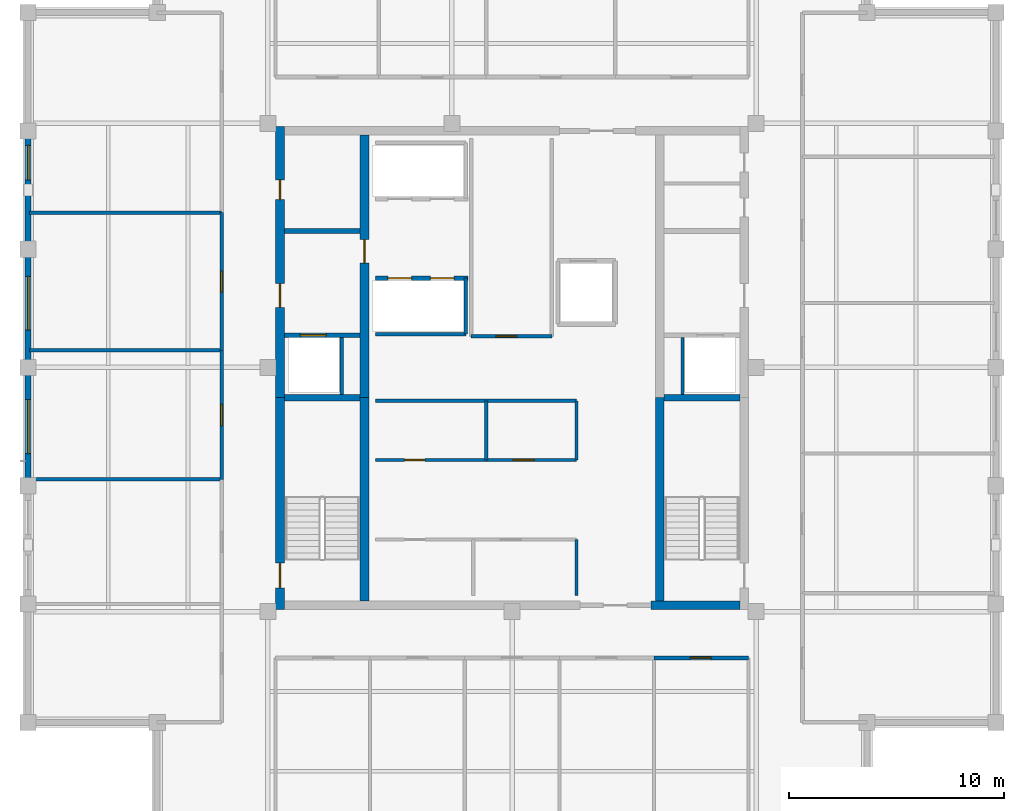
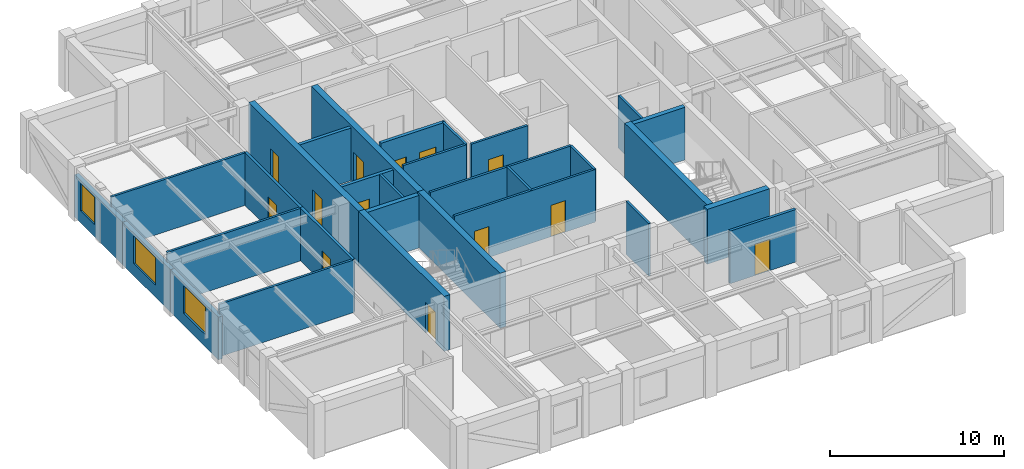
# One storey, part 4 of 7: 30 walls, 13 doors, 3 windows, 16 openings.
"""IFC4 building model written with IfcOpenShell, lengths in metres."""

from ifc_helpers import new_model, si_unit, direction, frame, frame_2d, origin, place, context, subcontext, project, spatial, rectangle, extrude, material, layer, layer_set, type_object, element, fill, save


model = new_model("IFC4")

# Units and contexts
model_context = context("Model", 3, precision=1e-05, world=origin(), true_north=direction((0.0, 1.0)))
body_context = subcontext(model_context, "Body", "Model", "MODEL_VIEW")
ifc_project = project(units=[si_unit("LENGTHUNIT", "METRE"), si_unit("AREAUNIT", "SQUARE_METRE"), si_unit("VOLUMEUNIT", "CUBIC_METRE"), si_unit("PLANEANGLEUNIT", "RADIAN"), si_unit("MASSUNIT", "GRAM", prefix="KILO")], contexts=[model_context])

# Site, building, storey
site_placement = place(None, origin())
site = spatial("IfcSite", under=ifc_project, at=site_placement, CompositionType="ELEMENT")
building_placement = place(site_placement, origin())
building = spatial("IfcBuilding", under=site, at=building_placement, Name="Nhamokura Convention Tower", CompositionType="ELEMENT")
storey_placement = place(building_placement, frame((0.0, 0.0, 285.25)))
storey = spatial("IfcBuildingStorey", under=building, at=storey_placement, Name="L70", CompositionType="ELEMENT", Elevation=285.25)

# Wall, opening, window
ifc_material_1 = material(Name="Bronze-pigmented precast concrete C45/55", Category="concrete")
ifc_layer_1 = layer(ifc_material_1, 0.280029296875)
ifc_layer_set_1 = layer_set([ifc_layer_1], Name="BronzePrecastSpandrel_280")
wall_type_1 = type_object("IfcWallType", Name="BronzePrecastSpandrel_280", PredefinedType="USERDEFINED", material=ifc_layer_set_1)
wall_1_placement = place(storey_placement, frame((9.5, 26.5, 0.0), z_axis=(0.0, 0.0, 1.0), x_axis=(0.0, 1.0, 0.0)))
wall_1 = element("IfcWall", 1, at=wall_1_placement, inside=storey, type_object=wall_type_1, Name="L70 Masonry-Frame Wall WEST 2", ObjectType="SPANDREL_WALL", PredefinedType="USERDEFINED", context=body_context, shape_type="SweptSolid", body=[
    extrude(rectangle(XDim=5.5, YDim=0.280029296875, at=frame_2d((2.75, 0.0))), origin(), (0.0, 0.0, 1.0), 2.985107421875),
])
opening_1_placement = place(wall_1_placement, frame((1.5, 0.0, 0.85009765625)))
opening_1 = element("IfcOpeningElement", 2, at=opening_1_placement, cuts=wall_1, Name="Opening W-09", PredefinedType="OPENING", context=body_context, shape_type="SweptSolid", body=[
    extrude(rectangle(XDim=2.5, YDim=1.93505859375, at=frame_2d((1.25, 0.967529296875))), frame((0.0, 0.14990234375, 0.0), z_axis=(0.0, -1.0, 0.0), x_axis=(1.0, 0.0, 0.0)), (0.0, 0.0, 1.0), 0.300048828125),
])
ifc_material_2 = material(Name="Solar-control bronze low-E double glass", Category="glass")
window_type_1 = type_object("IfcWindowType", Name="SummitWindow_Z4_2500", PartitioningType="DOUBLE_PANEL_VERTICAL", PredefinedType="WINDOW", material=ifc_material_2)
window_1_placement = place(opening_1_placement, origin())
window_1 = element("IfcWindow", 3, at=window_1_placement, inside=storey, type_object=window_type_1, Name="L70 Facade Window WEST 2", OverallHeight=1.93505859375, OverallWidth=2.5, PartitioningType="SINGLE_PANEL", PredefinedType="WINDOW", context=body_context, shape_type="SweptSolid", body=[
    extrude(rectangle(XDim=2.5, YDim=1.93505859375, at=frame_2d((1.25, 0.967529296875))), frame((0.0, 0.030029296875, 0.0), z_axis=(0.0, -1.0, 0.0), x_axis=(1.0, 0.0, 0.0)), (0.0, 0.0, 1.0), 0.06005859375),
])
fill(opening_1, window_1)

wall_2_placement = place(storey_placement, frame((9.5, 32.0, 0.0), z_axis=(0.0, 0.0, 1.0), x_axis=(0.0, 1.0, 0.0)))
wall_2 = element("IfcWall", 4, at=wall_2_placement, inside=storey, type_object=wall_type_1, Name="L70 Masonry-Frame Wall WEST 3", ObjectType="SPANDREL_WALL", PredefinedType="USERDEFINED", context=body_context, shape_type="SweptSolid", body=[
    extrude(rectangle(XDim=5.5, YDim=0.280029296875, at=frame_2d((2.75, 0.0))), origin(), (0.0, 0.0, 1.0), 2.985107421875),
])
opening_2_placement = place(wall_2_placement, frame((1.737548828125, 0.0, 0.85009765625)))
opening_2 = element("IfcOpeningElement", 5, at=opening_2_placement, cuts=wall_2, Name="Opening W-09", PredefinedType="OPENING", context=body_context, shape_type="SweptSolid", body=[
    extrude(rectangle(XDim=2.5, YDim=1.93505859375, at=frame_2d((1.25, 0.967529296875))), frame((0.0, 0.14990234375, 0.0), z_axis=(0.0, -1.0, 0.0), x_axis=(1.0, 0.0, 0.0)), (0.0, 0.0, 1.0), 0.300048828125),
])
window_2_placement = place(opening_2_placement, origin())
window_2 = element("IfcWindow", 6, at=window_2_placement, inside=storey, type_object=window_type_1, Name="L70 Facade Window WEST 3", OverallHeight=1.93505859375, OverallWidth=2.5, PartitioningType="SINGLE_PANEL", PredefinedType="WINDOW", context=body_context, shape_type="SweptSolid", body=[
    extrude(rectangle(XDim=2.5, YDim=1.93505859375, at=frame_2d((1.25, 0.967529296875))), frame((0.0, 0.030029296875, 0.0), z_axis=(0.0, -1.0, 0.0), x_axis=(1.0, 0.0, 0.0)), (0.0, 0.0, 1.0), 0.06005859375),
])
fill(opening_2, window_2)

wall_3_placement = place(storey_placement, frame((9.5, 37.5, 0.0), z_axis=(0.0, 0.0, 1.0), x_axis=(0.0, 1.0, 0.0)))
wall_3 = element("IfcWall", 7, at=wall_3_placement, inside=storey, type_object=wall_type_1, Name="L70 Masonry-Frame Wall WEST 4", ObjectType="SPANDREL_WALL", PredefinedType="USERDEFINED", context=body_context, shape_type="SweptSolid", body=[
    extrude(rectangle(XDim=5.5, YDim=0.280029296875, at=frame_2d((2.75, 0.0))), origin(), (0.0, 0.0, 1.0), 2.985107421875),
])
opening_3_placement = place(wall_3_placement, frame((3.22509765625, 0.0, 0.85009765625)))
opening_3 = element("IfcOpeningElement", 8, at=opening_3_placement, cuts=wall_3, Name="Opening W-11", PredefinedType="OPENING", context=body_context, shape_type="SweptSolid", body=[
    extrude(rectangle(XDim=1.60009765625, YDim=1.93505859375, at=frame_2d((0.800048828125, 0.967529296875))), frame((0.0, 0.14990234375, 0.0), z_axis=(0.0, -1.0, 0.0), x_axis=(1.0, 0.0, 0.0)), (0.0, 0.0, 1.0), 0.300048828125),
])
ifc_material_3 = material(Name="Solar-control bronze low-E double glass", Category="glass")
window_type_2 = type_object("IfcWindowType", Name="NotchCornerWindow_1600", PartitioningType="SINGLE_PANEL", PredefinedType="WINDOW", material=ifc_material_3)
window_3_placement = place(opening_3_placement, origin())
window_3 = element("IfcWindow", 9, at=window_3_placement, inside=storey, type_object=window_type_2, Name="L70 Facade Window WEST 4-3", OverallHeight=1.93505859375, OverallWidth=1.60009765625, PartitioningType="SINGLE_PANEL", PredefinedType="WINDOW", context=body_context, shape_type="SweptSolid", body=[
    extrude(rectangle(XDim=1.60009765625, YDim=1.93505859375, at=frame_2d((0.800048828125, 0.967529296875))), frame((0.0, 0.030029296875, 0.0), z_axis=(0.0, -1.0, 0.0), x_axis=(1.0, 0.0, 0.0)), (0.0, 0.0, 1.0), 0.06005859375),
])
fill(opening_3, window_3)

# Wall, opening, door
ifc_material_4 = material(Name="Concrete C50/60", Category="concrete")
ifc_layer_2 = layer(ifc_material_4, 0.39990234375)
ifc_layer_set_2 = layer_set([ifc_layer_2], Name="CoreShearWall_400")
wall_type_2 = type_object("IfcWallType", Name="CoreShearWall_400", PredefinedType="SHEAR", material=ifc_layer_set_2)
wall_4_placement = place(storey_placement, frame((21.2099609375, 20.75, 0.0), z_axis=(0.0, 0.0, 1.0), x_axis=(0.0, 1.0, 0.0)))
wall_4 = element("IfcWall", 10, at=wall_4_placement, inside=storey, type_object=wall_type_2, Name="L70 Core Shear Wall CW-WS", PredefinedType="SHEAR", context=body_context, shape_type="SweptSolid", body=[
    extrude(rectangle(XDim=9.85009765625, YDim=0.39990234375, at=frame_2d((4.925048828125, 0.0))), origin(), (0.0, 0.0, 1.0), 3.85009765625),
])
opening_4_placement = place(wall_4_placement, frame((1.0, 0.0, 0.0)))
opening_4 = element("IfcOpeningElement", 11, at=opening_4_placement, cuts=wall_4, Name="Opening D-04", PredefinedType="OPENING", context=body_context, shape_type="SweptSolid", body=[
    extrude(rectangle(XDim=1.14990234375, YDim=2.14990234375, at=frame_2d((0.574951171875, 1.074951171875))), frame((0.0, 0.2099609375, 0.0), z_axis=(0.0, -1.0, 0.0), x_axis=(1.0, 0.0, 0.0)), (0.0, 0.0, 1.0), 0.419921875),
])
ifc_material_5 = material(Name="Fire-rated steel door", Category="steel")
door_type_1 = type_object("IfcDoorType", Name="StairSmokeDoor_1150", OperationType="NOTDEFINED", PredefinedType="DOOR", material=ifc_material_5)
door_1_placement = place(opening_4_placement, origin())
door_1 = element("IfcDoor", 12, at=door_1_placement, inside=storey, type_object=door_type_1, Name="L70 Core Door INT-L70-D-ST01", OperationType="SINGLE_SWING_LEFT", OverallHeight=2.14990234375, OverallWidth=1.14990234375, PredefinedType="DOOR", context=body_context, shape_type="SweptSolid", body=[
    extrude(rectangle(XDim=1.14990234375, YDim=2.14990234375, at=frame_2d((0.574951171875, 1.074951171875))), frame((0.0, 0.02490234375, 0.0), z_axis=(0.0, -1.0, 0.0), x_axis=(1.0, 0.0, 0.0)), (0.0, 0.0, 1.0), 0.050048828125),
])
fill(opening_4, door_1)

# Wall, openings, doors
wall_5_placement = place(storey_placement, frame((21.2099609375, 30.60009765625, 0.0), z_axis=(0.0, 0.0, 1.0), x_axis=(0.0, 1.0, 0.0)))
wall_5 = element("IfcWall", 13, at=wall_5_placement, inside=storey, type_object=wall_type_2, Name="L70 Core Shear Wall CW-WN", PredefinedType="SHEAR", context=body_context, shape_type="SweptSolid", body=[
    extrude(rectangle(XDim=12.599853515625, YDim=0.39990234375, at=frame_2d((6.2998046875, 0.0))), origin(), (0.0, 0.0, 1.0), 3.85009765625),
])
opening_5_placement = place(wall_5_placement, frame((4.199951171875, 0.0, 0.0)))
opening_5 = element("IfcOpeningElement", 14, at=opening_5_placement, cuts=wall_5, Name="Opening D-05", PredefinedType="OPENING", context=body_context, shape_type="SweptSolid", body=[
    extrude(rectangle(XDim=1.10009765625, YDim=2.14990234375, at=frame_2d((0.550048828125, 1.074951171875))), frame((0.0, 0.2099609375, 0.0), z_axis=(0.0, -1.0, 0.0), x_axis=(1.0, 0.0, 0.0)), (0.0, 0.0, 1.0), 0.419921875),
])
opening_6_placement = place(wall_5_placement, frame((9.199951171875, 0.0, 0.0)))
opening_6 = element("IfcOpeningElement", 15, at=opening_6_placement, cuts=wall_5, Name="Opening D-10", PredefinedType="OPENING", context=body_context, shape_type="SweptSolid", body=[
    extrude(rectangle(XDim=0.919921875, YDim=2.10009765625, at=frame_2d((0.4599609375, 1.050048828125))), frame((0.0, 0.2099609375, 0.0), z_axis=(0.0, -1.0, 0.0), x_axis=(1.0, 0.0, 0.0)), (0.0, 0.0, 1.0), 0.419921875),
])
ifc_material_6 = material(Name="Solid oak hardwood", Category="wood")
door_type_2 = type_object("IfcDoorType", Name="AccessibleWCDoor_920", OperationType="NOTDEFINED", PredefinedType="DOOR", material=ifc_material_6)
door_2_placement = place(opening_6_placement, origin())
door_2 = element("IfcDoor", 16, at=door_2_placement, inside=storey, type_object=door_type_2, Name="L70 Core Door INT-L70-D-AWC", OperationType="SINGLE_SWING_LEFT", OverallHeight=2.10009765625, OverallWidth=0.919921875, PredefinedType="DOOR", context=body_context, shape_type="SweptSolid", body=[
    extrude(rectangle(XDim=0.919921875, YDim=2.10009765625, at=frame_2d((0.4599609375, 1.050048828125))), frame((0.0, 0.02490234375, 0.0), z_axis=(0.0, -1.0, 0.0), x_axis=(1.0, 0.0, 0.0)), (0.0, 0.0, 1.0), 0.050048828125),
])
fill(opening_6, door_2)
ifc_material_7 = material(Name="Fire-rated steel door", Category="steel")
door_type_3 = type_object("IfcDoorType", Name="FireLobbyDoor_1100", OperationType="NOTDEFINED", PredefinedType="DOOR", material=ifc_material_7)
door_3_placement = place(opening_5_placement, origin())
door_3 = element("IfcDoor", 17, at=door_3_placement, inside=storey, type_object=door_type_3, Name="L70 Core Door INT-L70-D-FFLW", OperationType="SINGLE_SWING_RIGHT", OverallHeight=2.14990234375, OverallWidth=1.10009765625, PredefinedType="DOOR", context=body_context, shape_type="SweptSolid", body=[
    extrude(rectangle(XDim=1.10009765625, YDim=2.14990234375, at=frame_2d((0.550048828125, 1.074951171875))), frame((0.0, 0.02490234375, 0.0), z_axis=(0.0, -1.0, 0.0), x_axis=(1.0, 0.0, 0.0)), (0.0, 0.0, 1.0), 0.050048828125),
])
fill(opening_5, door_3)

# Walls
wall_6_placement = place(storey_placement, frame((38.449951171875, 20.949951171875, 0.0), z_axis=(0.0, 0.0, 1.0), x_axis=(1.0, 0.0, 0.0)))
element("IfcWall", 18, at=wall_6_placement, inside=storey, type_object=wall_type_2, Name="L70 Core Shear Wall CW-S2", PredefinedType="SHEAR", context=body_context, shape_type="SweptSolid", body=[
    extrude(rectangle(XDim=4.14013671875, YDim=0.39990234375, at=frame_2d((2.070068359375, 0.0))), origin(), (0.0, 0.0, 1.0), 3.85009765625),
])
wall_7_placement = place(storey_placement, frame((25.139892578125, 21.14990234375, 0.0), z_axis=(0.0, 0.0, 1.0), x_axis=(0.0, 1.0, 0.0)))
element("IfcWall", 19, at=wall_7_placement, inside=storey, type_object=wall_type_2, Name="L70 Core Shear Wall CW-IWS", PredefinedType="SHEAR", context=body_context, shape_type="SweptSolid", body=[
    extrude(rectangle(XDim=9.4501953125, YDim=0.39990234375, at=frame_2d((4.72509765625, 0.0))), origin(), (0.0, 0.0, 1.0), 3.85009765625),
])

# Wall, opening, door
wall_8_placement = place(storey_placement, frame((25.139892578125, 30.60009765625, 0.0), z_axis=(0.0, 0.0, 1.0), x_axis=(0.0, 1.0, 0.0)))
wall_8 = element("IfcWall", 20, at=wall_8_placement, inside=storey, type_object=wall_type_2, Name="L70 Core Shear Wall CW-IWN", PredefinedType="SHEAR", context=body_context, shape_type="SweptSolid", body=[
    extrude(rectangle(XDim=12.199951171875, YDim=0.39990234375, at=frame_2d((6.10009765625, 0.0))), origin(), (0.0, 0.0, 1.0), 3.85009765625),
])
opening_7_placement = place(wall_8_placement, frame((6.25, 0.0, 0.0)))
opening_7 = element("IfcOpeningElement", 21, at=opening_7_placement, cuts=wall_8, Name="Opening D-05", PredefinedType="OPENING", context=body_context, shape_type="SweptSolid", body=[
    extrude(rectangle(XDim=1.10009765625, YDim=2.14990234375, at=frame_2d((0.550048828125, 1.074951171875))), frame((0.0, 0.2099609375, 0.0), z_axis=(0.0, -1.0, 0.0), x_axis=(1.0, 0.0, 0.0)), (0.0, 0.0, 1.0), 0.419921875),
])
door_4_placement = place(opening_7_placement, origin())
door_4 = element("IfcDoor", 22, at=door_4_placement, inside=storey, type_object=door_type_3, Name="L70 Core Door INT-L70-D-B3LOB", OperationType="SINGLE_SWING_LEFT", OverallHeight=2.14990234375, OverallWidth=1.10009765625, PredefinedType="DOOR", context=body_context, shape_type="SweptSolid", body=[
    extrude(rectangle(XDim=1.10009765625, YDim=2.14990234375, at=frame_2d((0.550048828125, 1.074951171875))), frame((0.0, 0.02490234375, 0.0), z_axis=(0.0, -1.0, 0.0), x_axis=(1.0, 0.0, 0.0)), (0.0, 0.0, 1.0), 0.050048828125),
])
fill(opening_7, door_4)

# Wall
wall_9_placement = place(storey_placement, frame((38.860107421875, 21.14990234375, 0.0), z_axis=(0.0, 0.0, 1.0), x_axis=(0.0, 1.0, 0.0)))
element("IfcWall", 23, at=wall_9_placement, inside=storey, type_object=wall_type_2, Name="L70 Core Shear Wall CW-IES", PredefinedType="SHEAR", context=body_context, shape_type="SweptSolid", body=[
    extrude(rectangle(XDim=9.4501953125, YDim=0.39990234375, at=frame_2d((4.72509765625, 0.0))), origin(), (0.0, 0.0, 1.0), 3.85009765625),
])

# Wall, opening, door
ifc_material_8 = material(Name="Fire-rated gypsum and masonry partition", Category="masonry")
ifc_layer_3 = layer(ifc_material_8, 0.179931640625)
ifc_layer_set_3 = layer_set([ifc_layer_3], Name="CorridorRatedWall_180")
wall_type_3 = type_object("IfcWallType", Name="CorridorRatedWall_180", PredefinedType="STANDARD", material=ifc_layer_set_3)
wall_10_placement = place(storey_placement, frame((38.60009765625, 18.5, 0.0), z_axis=(0.0, 0.0, 1.0), x_axis=(1.0, 0.0, 0.0)))
wall_10 = element("IfcWall", 24, at=wall_10_placement, inside=storey, type_object=wall_type_3, Name="L70 Wall INT-L70-CW-S04", PredefinedType="STANDARD", context=body_context, shape_type="SweptSolid", body=[
    extrude(rectangle(XDim=4.39990234375, YDim=0.179931640625, at=frame_2d((2.199951171875, 0.0))), origin(), (0.0, 0.0, 1.0), 3.68505859375),
])
opening_8_placement = place(wall_10_placement, frame((1.675048828125, 0.0, 0.0)))
opening_8 = element("IfcOpeningElement", 25, at=opening_8_placement, cuts=wall_10, Name="Opening D-08", PredefinedType="OPENING", context=body_context, shape_type="SweptSolid", body=[
    extrude(rectangle(XDim=0.97998046875, YDim=2.199951171875, at=frame_2d((0.489990234375, 1.10009765625))), frame((0.0, 0.099853515625, 0.0), z_axis=(0.0, -1.0, 0.0), x_axis=(1.0, 0.0, 0.0)), (0.0, 0.0, 1.0), 0.199951171875),
])
ifc_material_9 = material(Name="Solid oak hardwood", Category="wood")
door_type_4 = type_object("IfcDoorType", Name="OfficeEntryDoor_980", OperationType="NOTDEFINED", PredefinedType="DOOR", material=ifc_material_9)
door_5_placement = place(opening_8_placement, origin())
door_5 = element("IfcDoor", 26, at=door_5_placement, inside=storey, type_object=door_type_4, Name="L70 Private Office S05 Door", OperationType="SINGLE_SWING_LEFT", OverallHeight=2.199951171875, OverallWidth=0.97998046875, PredefinedType="DOOR", context=body_context, shape_type="SweptSolid", body=[
    extrude(rectangle(XDim=0.97998046875, YDim=2.199951171875, at=frame_2d((0.489990234375, 1.10009765625))), frame((0.0, 0.02490234375, 0.0), z_axis=(0.0, -1.0, 0.0), x_axis=(1.0, 0.0, 0.0)), (0.0, 0.0, 1.0), 0.050048828125),
])
fill(opening_8, door_5)

wall_11_placement = place(storey_placement, frame((18.5, 26.800048828125, 0.0), z_axis=(0.0, 0.0, 1.0), x_axis=(0.0, 1.0, 0.0)))
wall_11 = element("IfcWall", 27, at=wall_11_placement, inside=storey, type_object=wall_type_3, Name="L70 Wall INT-L70-CW-W02", PredefinedType="STANDARD", context=body_context, shape_type="SweptSolid", body=[
    extrude(rectangle(XDim=6.0, YDim=0.179931640625, at=frame_2d((3.0, 0.0))), origin(), (0.0, 0.0, 1.0), 3.68505859375),
])
opening_9_placement = place(wall_11_placement, frame((2.5, 0.0, 0.0)))
opening_9 = element("IfcOpeningElement", 28, at=opening_9_placement, cuts=wall_11, Name="Opening D-08", PredefinedType="OPENING", context=body_context, shape_type="SweptSolid", body=[
    extrude(rectangle(XDim=0.97998046875, YDim=2.199951171875, at=frame_2d((0.489990234375, 1.10009765625))), frame((0.0, 0.099853515625, 0.0), z_axis=(0.0, -1.0, 0.0), x_axis=(1.0, 0.0, 0.0)), (0.0, 0.0, 1.0), 0.199951171875),
])
door_6_placement = place(opening_9_placement, origin())
door_6 = element("IfcDoor", 29, at=door_6_placement, inside=storey, type_object=door_type_4, Name="L70 Private Office W03 Door", OperationType="SINGLE_SWING_LEFT", OverallHeight=2.199951171875, OverallWidth=0.97998046875, PredefinedType="DOOR", context=body_context, shape_type="SweptSolid", body=[
    extrude(rectangle(XDim=0.97998046875, YDim=2.199951171875, at=frame_2d((0.489990234375, 1.10009765625))), frame((0.0, 0.02490234375, 0.0), z_axis=(0.0, -1.0, 0.0), x_axis=(1.0, 0.0, 0.0)), (0.0, 0.0, 1.0), 0.050048828125),
])
fill(opening_9, door_6)

wall_12_placement = place(storey_placement, frame((18.5, 32.800048828125, 0.0), z_axis=(0.0, 0.0, 1.0), x_axis=(0.0, 1.0, 0.0)))
wall_12 = element("IfcWall", 30, at=wall_12_placement, inside=storey, type_object=wall_type_3, Name="L70 Wall INT-L70-CW-W03", PredefinedType="STANDARD", context=body_context, shape_type="SweptSolid", body=[
    extrude(rectangle(XDim=6.39990234375, YDim=0.179931640625, at=frame_2d((3.199951171875, 0.0))), origin(), (0.0, 0.0, 1.0), 3.68505859375),
])
opening_10_placement = place(wall_12_placement, frame((2.699951171875, 0.0, 0.0)))
opening_10 = element("IfcOpeningElement", 31, at=opening_10_placement, cuts=wall_12, Name="Opening D-08", PredefinedType="OPENING", context=body_context, shape_type="SweptSolid", body=[
    extrude(rectangle(XDim=0.97998046875, YDim=2.199951171875, at=frame_2d((0.489990234375, 1.10009765625))), frame((0.0, 0.099853515625, 0.0), z_axis=(0.0, -1.0, 0.0), x_axis=(1.0, 0.0, 0.0)), (0.0, 0.0, 1.0), 0.199951171875),
])
door_7_placement = place(opening_10_placement, origin())
door_7 = element("IfcDoor", 32, at=door_7_placement, inside=storey, type_object=door_type_4, Name="L70 Meeting Room W04 Door", OperationType="SINGLE_SWING_RIGHT", OverallHeight=2.199951171875, OverallWidth=0.97998046875, PredefinedType="DOOR", context=body_context, shape_type="SweptSolid", body=[
    extrude(rectangle(XDim=0.97998046875, YDim=2.199951171875, at=frame_2d((0.489990234375, 1.10009765625))), frame((0.0, 0.02490234375, 0.0), z_axis=(0.0, -1.0, 0.0), x_axis=(1.0, 0.0, 0.0)), (0.0, 0.0, 1.0), 0.050048828125),
])
fill(opening_10, door_7)

ifc_material_10 = material(Name="Autoclaved concrete blockwork", Category="masonry")
ifc_layer_4 = layer(ifc_material_10, 0.219970703125)
ifc_layer_set_4 = layer_set([ifc_layer_4], Name="FireLobbyWall_220")
wall_type_4 = type_object("IfcWallType", Name="FireLobbyWall_220", PredefinedType="STANDARD", material=ifc_layer_set_4)
wall_13_placement = place(storey_placement, frame((21.409912109375, 33.5, 0.0), z_axis=(0.0, 0.0, 1.0), x_axis=(1.0, 0.0, 0.0)))
wall_13 = element("IfcWall", 33, at=wall_13_placement, inside=storey, type_object=wall_type_4, Name="L70 Wall INT-L70-FFW-S", PredefinedType="STANDARD", context=body_context, shape_type="SweptSolid", body=[
    extrude(rectangle(XDim=3.530029296875, YDim=0.219970703125, at=frame_2d((1.76513671875, 0.0))), origin(), (0.0, 0.0, 1.0), 3.68505859375),
])
opening_11_placement = place(wall_13_placement, frame((0.75, 0.0, 0.0)))
opening_11 = element("IfcOpeningElement", 34, at=opening_11_placement, cuts=wall_13, Name="Opening LD-02", PredefinedType="OPENING", context=body_context, shape_type="SweptSolid", body=[
    extrude(rectangle(XDim=1.199951171875, YDim=2.199951171875, at=frame_2d((0.60009765625, 1.10009765625))), frame((0.0, 0.119873046875, 0.0), z_axis=(0.0, -1.0, 0.0), x_axis=(1.0, 0.0, 0.0)), (0.0, 0.0, 1.0), 0.239990234375),
])
ifc_material_11 = material(Name="Anodised bronze stainless steel", Category="steel")
door_type_5 = type_object("IfcDoorType", Name="LiftLandingDoor_FireService", OperationType="DOUBLE_DOOR_SLIDING", PredefinedType="DOOR", material=ifc_material_11)
door_8_placement = place(opening_11_placement, origin())
door_8 = element("IfcDoor", 35, at=door_8_placement, inside=storey, type_object=door_type_5, Name="L70 Firefighting Lift LF-01 Door", OperationType="DOUBLE_DOOR_SLIDING", OverallHeight=2.199951171875, OverallWidth=1.199951171875, PredefinedType="DOOR", context=body_context, shape_type="SweptSolid", body=[
    extrude(rectangle(XDim=1.199951171875, YDim=2.199951171875, at=frame_2d((0.60009765625, 1.10009765625))), frame((0.0, 0.02490234375, 0.0), z_axis=(0.0, -1.0, 0.0), x_axis=(1.0, 0.0, 0.0)), (0.0, 0.0, 1.0), 0.050048828125),
])
fill(opening_11, door_8)

# Wall
wall_14_placement = place(storey_placement, frame((21.409912109375, 38.35009765625, 0.0), z_axis=(0.0, 0.0, 1.0), x_axis=(1.0, 0.0, 0.0)))
element("IfcWall", 36, at=wall_14_placement, inside=storey, type_object=wall_type_4, Name="L70 Wall INT-L70-FFW-N", PredefinedType="STANDARD", context=body_context, shape_type="SweptSolid", body=[
    extrude(rectangle(XDim=3.530029296875, YDim=0.219970703125, at=frame_2d((1.76513671875, 0.0))), origin(), (0.0, 0.0, 1.0), 3.68505859375),
])

# Wall, openings, doors
wall_15_placement = place(storey_placement, frame((25.64990234375, 36.14990234375, 0.0), z_axis=(0.0, 0.0, 1.0), x_axis=(1.0, 0.0, 0.0)))
wall_15 = element("IfcWall", 37, at=wall_15_placement, inside=storey, type_object=wall_type_4, Name="L70 Wall INT-L70-B3S", PredefinedType="STANDARD", context=body_context, shape_type="SweptSolid", body=[
    extrude(rectangle(XDim=4.300048828125, YDim=0.219970703125, at=frame_2d((2.14990234375, 0.0))), origin(), (0.0, 0.0, 1.0), 3.68505859375),
])
opening_12_placement = place(wall_15_placement, frame((0.580078125, 0.0, 0.0)))
opening_12 = element("IfcOpeningElement", 38, at=opening_12_placement, cuts=wall_15, Name="Opening LD-01", PredefinedType="OPENING", context=body_context, shape_type="SweptSolid", body=[
    extrude(rectangle(XDim=1.10009765625, YDim=2.14990234375, at=frame_2d((0.550048828125, 1.074951171875))), frame((0.0, 0.119873046875, 0.0), z_axis=(0.0, -1.0, 0.0), x_axis=(1.0, 0.0, 0.0)), (0.0, 0.0, 1.0), 0.239990234375),
])
opening_13_placement = place(wall_15_placement, frame((2.550048828125, 0.0, 0.0)))
opening_13 = element("IfcOpeningElement", 39, at=opening_13_placement, cuts=wall_15, Name="Opening LD-01", PredefinedType="OPENING", context=body_context, shape_type="SweptSolid", body=[
    extrude(rectangle(XDim=1.10009765625, YDim=2.14990234375, at=frame_2d((0.550048828125, 1.074951171875))), frame((0.0, 0.119873046875, 0.0), z_axis=(0.0, -1.0, 0.0), x_axis=(1.0, 0.0, 0.0)), (0.0, 0.0, 1.0), 0.239990234375),
])
ifc_material_12 = material(Name="Anodised bronze stainless steel", Category="steel")
door_type_6 = type_object("IfcDoorType", Name="LiftLandingDoor_Passenger", OperationType="DOUBLE_DOOR_SLIDING", PredefinedType="DOOR", material=ifc_material_12)
door_9_placement = place(opening_12_placement, origin())
door_9 = element("IfcDoor", 40, at=door_9_placement, inside=storey, type_object=door_type_6, Name="L70 Lift LP-09 Door", OperationType="DOUBLE_DOOR_SLIDING", OverallHeight=2.14990234375, OverallWidth=1.10009765625, PredefinedType="DOOR", context=body_context, shape_type="SweptSolid", body=[
    extrude(rectangle(XDim=1.10009765625, YDim=2.14990234375, at=frame_2d((0.550048828125, 1.074951171875))), frame((0.0, 0.02490234375, 0.0), z_axis=(0.0, -1.0, 0.0), x_axis=(1.0, 0.0, 0.0)), (0.0, 0.0, 1.0), 0.050048828125),
])
fill(opening_12, door_9)
door_10_placement = place(opening_13_placement, origin())
door_10 = element("IfcDoor", 41, at=door_10_placement, inside=storey, type_object=door_type_6, Name="L70 Lift LP-10 Door", OperationType="DOUBLE_DOOR_SLIDING", OverallHeight=2.14990234375, OverallWidth=1.10009765625, PredefinedType="DOOR", context=body_context, shape_type="SweptSolid", body=[
    extrude(rectangle(XDim=1.10009765625, YDim=2.14990234375, at=frame_2d((0.550048828125, 1.074951171875))), frame((0.0, 0.02490234375, 0.0), z_axis=(0.0, -1.0, 0.0), x_axis=(1.0, 0.0, 0.0)), (0.0, 0.0, 1.0), 0.050048828125),
])
fill(opening_13, door_10)

# Walls
ifc_material_13 = material(Name="Acoustic gypsum stud partition", Category="masonry")
ifc_layer_5 = layer(ifc_material_13, 0.14990234375)
ifc_layer_set_5 = layer_set([ifc_layer_5], Name="InteriorPartition_150")
wall_type_5 = type_object("IfcWallType", Name="InteriorPartition_150", PredefinedType="STANDARD", material=ifc_layer_set_5)
for number, where, z_axis, x_axis, name in (
    (42, (24.080078125, 30.75, 0.0), (0.0, 0.0, 1.0), (0.0, 1.0, 0.0), "L70 Wall INT-L70-FF1-E"),
    (43, (39.919921875, 30.75, 0.0), (0.0, 0.0, 1.0), (0.0, 1.0, 0.0), "L70 Wall INT-L70-FF2-W"),
):
    element("IfcWall", number, at=place(storey_placement, frame(where, z_axis=z_axis, x_axis=x_axis)), inside=storey, type_object=wall_type_5, Name=name, PredefinedType="STANDARD", context=body_context, shape_type="SweptSolid", body=[
        extrude(rectangle(XDim=2.64990234375, YDim=0.14990234375, at=frame_2d((1.324951171875, 0.0))), origin(), (0.0, 0.0, 1.0), 3.68505859375),
    ])
wall_16_placement = place(storey_placement, frame((35.0, 21.39990234375, 0.0), z_axis=(0.0, 0.0, 1.0), x_axis=(0.0, 1.0, 0.0)))
element("IfcWall", 44, at=wall_16_placement, inside=storey, type_object=wall_type_5, Name="L70 Wall INT-L70-B1R-E", PredefinedType="STANDARD", context=body_context, shape_type="SweptSolid", body=[
    extrude(rectangle(XDim=2.60009765625, YDim=0.14990234375, at=frame_2d((1.300048828125, 0.0))), origin(), (0.0, 0.0, 1.0), 3.68505859375),
])

# Wall, openings, doors
wall_17_placement = place(storey_placement, frame((25.64990234375, 27.699951171875, 0.0), z_axis=(0.0, 0.0, 1.0), x_axis=(1.0, 0.0, 0.0)))
wall_17 = element("IfcWall", 45, at=wall_17_placement, inside=storey, type_object=wall_type_5, Name="L70 Wall INT-L70-B2R-S", PredefinedType="STANDARD", context=body_context, shape_type="SweptSolid", body=[
    extrude(rectangle(XDim=9.35009765625, YDim=0.14990234375, at=frame_2d((4.675048828125, 0.0))), origin(), (0.0, 0.0, 1.0), 3.68505859375),
])
opening_14_placement = place(wall_17_placement, frame((1.35009765625, 0.0, 0.0)))
opening_14 = element("IfcOpeningElement", 46, at=opening_14_placement, cuts=wall_17, Name="Opening D-09", PredefinedType="OPENING", context=body_context, shape_type="SweptSolid", body=[
    extrude(rectangle(XDim=0.949951171875, YDim=2.14990234375, at=frame_2d((0.47509765625, 1.074951171875))), frame((0.0, 0.0849609375, 0.0), z_axis=(0.0, -1.0, 0.0), x_axis=(1.0, 0.0, 0.0)), (0.0, 0.0, 1.0), 0.169921875),
])
opening_15_placement = place(wall_17_placement, frame((6.39990234375, 0.0, 0.0)))
opening_15 = element("IfcOpeningElement", 47, at=opening_15_placement, cuts=wall_17, Name="Opening D-08", PredefinedType="OPENING", context=body_context, shape_type="SweptSolid", body=[
    extrude(rectangle(XDim=0.97998046875, YDim=2.199951171875, at=frame_2d((0.489990234375, 1.10009765625))), frame((0.0, 0.0849609375, 0.0), z_axis=(0.0, -1.0, 0.0), x_axis=(1.0, 0.0, 0.0)), (0.0, 0.0, 1.0), 0.169921875),
])
ifc_material_14 = material(Name="Solid oak hardwood", Category="wood")
door_type_7 = type_object("IfcDoorType", Name="MeetingRoomDoor_950", OperationType="NOTDEFINED", PredefinedType="DOOR", material=ifc_material_14)
door_11_placement = place(opening_14_placement, origin())
door_11 = element("IfcDoor", 48, at=door_11_placement, inside=storey, type_object=door_type_7, Name="L70 Caucus Suite Door", OperationType="SINGLE_SWING_LEFT", OverallHeight=2.14990234375, OverallWidth=0.949951171875, PredefinedType="DOOR", context=body_context, shape_type="SweptSolid", body=[
    extrude(rectangle(XDim=0.949951171875, YDim=2.14990234375, at=frame_2d((0.47509765625, 1.074951171875))), frame((0.0, 0.02490234375, 0.0), z_axis=(0.0, -1.0, 0.0), x_axis=(1.0, 0.0, 0.0)), (0.0, 0.0, 1.0), 0.050048828125),
])
fill(opening_14, door_11)
door_12_placement = place(opening_15_placement, origin())
door_12 = element("IfcDoor", 49, at=door_12_placement, inside=storey, type_object=door_type_4, Name="L70 Summit Pantry Door", OperationType="SINGLE_SWING_RIGHT", OverallHeight=2.199951171875, OverallWidth=0.97998046875, PredefinedType="DOOR", context=body_context, shape_type="SweptSolid", body=[
    extrude(rectangle(XDim=0.97998046875, YDim=2.199951171875, at=frame_2d((0.489990234375, 1.10009765625))), frame((0.0, 0.02490234375, 0.0), z_axis=(0.0, -1.0, 0.0), x_axis=(1.0, 0.0, 0.0)), (0.0, 0.0, 1.0), 0.050048828125),
])
fill(opening_15, door_12)

# Walls
wall_18_placement = place(storey_placement, frame((25.64990234375, 30.449951171875, 0.0), z_axis=(0.0, 0.0, 1.0), x_axis=(1.0, 0.0, 0.0)))
element("IfcWall", 50, at=wall_18_placement, inside=storey, type_object=wall_type_5, Name="L70 Wall INT-L70-B2R-N", PredefinedType="STANDARD", context=body_context, shape_type="SweptSolid", body=[
    extrude(rectangle(XDim=9.35009765625, YDim=0.14990234375, at=frame_2d((4.675048828125, 0.0))), origin(), (0.0, 0.0, 1.0), 3.68505859375),
])
for number, where, z_axis, x_axis, name in (
    (51, (30.800048828125, 27.699951171875, 0.0), (0.0, 0.0, 1.0), (0.0, 1.0, 0.0), "L70 Wall INT-L70-B2R-M"),
    (52, (35.0, 27.699951171875, 0.0), (0.0, 0.0, 1.0), (0.0, 1.0, 0.0), "L70 Wall INT-L70-B2R-E"),
):
    element("IfcWall", number, at=place(storey_placement, frame(where, z_axis=z_axis, x_axis=x_axis)), inside=storey, type_object=wall_type_5, Name=name, PredefinedType="STANDARD", context=body_context, shape_type="SweptSolid", body=[
        extrude(rectangle(XDim=2.75, YDim=0.14990234375, at=frame_2d((1.375, 0.0))), origin(), (0.0, 0.0, 1.0), 3.68505859375),
    ])
wall_19_placement = place(storey_placement, frame((25.64990234375, 33.550048828125, 0.0), z_axis=(0.0, 0.0, 1.0), x_axis=(1.0, 0.0, 0.0)))
element("IfcWall", 53, at=wall_19_placement, inside=storey, type_object=wall_type_5, Name="L70 Wall INT-L70-B3A-S", PredefinedType="STANDARD", context=body_context, shape_type="SweptSolid", body=[
    extrude(rectangle(XDim=4.2001953125, YDim=0.14990234375, at=frame_2d((2.10009765625, 0.0))), origin(), (0.0, 0.0, 1.0), 3.68505859375),
])
wall_20_placement = place(storey_placement, frame((29.85009765625, 33.550048828125, 0.0), z_axis=(0.0, 0.0, 1.0), x_axis=(0.0, 1.0, 0.0)))
element("IfcWall", 54, at=wall_20_placement, inside=storey, type_object=wall_type_5, Name="L70 Wall INT-L70-B3A-E", PredefinedType="STANDARD", context=body_context, shape_type="SweptSolid", body=[
    extrude(rectangle(XDim=2.599853515625, YDim=0.14990234375, at=frame_2d((1.2998046875, 0.0))), origin(), (0.0, 0.0, 1.0), 3.68505859375),
])

# Wall, opening, door
wall_21_placement = place(storey_placement, frame((30.10009765625, 33.449951171875, 0.0), z_axis=(0.0, 0.0, 1.0), x_axis=(1.0, 0.0, 0.0)))
wall_21 = element("IfcWall", 55, at=wall_21_placement, inside=storey, type_object=wall_type_5, Name="L70 Wall INT-L70-ST03S", PredefinedType="STANDARD", context=body_context, shape_type="SweptSolid", body=[
    extrude(rectangle(XDim=3.75, YDim=0.14990234375, at=frame_2d((1.875, 0.0))), origin(), (0.0, 0.0, 1.0), 3.68505859375),
])
opening_16_placement = place(wall_21_placement, frame((1.14990234375, 0.0, 0.0)))
opening_16 = element("IfcOpeningElement", 56, at=opening_16_placement, cuts=wall_21, Name="Opening D-08", PredefinedType="OPENING", context=body_context, shape_type="SweptSolid", body=[
    extrude(rectangle(XDim=0.97998046875, YDim=2.199951171875, at=frame_2d((0.489990234375, 1.10009765625))), frame((0.0, 0.0849609375, 0.0), z_axis=(0.0, -1.0, 0.0), x_axis=(1.0, 0.0, 0.0)), (0.0, 0.0, 1.0), 0.169921875),
])
door_13_placement = place(opening_16_placement, origin())
door_13 = element("IfcDoor", 57, at=door_13_placement, inside=storey, type_object=door_type_4, Name="L70 Wellness and Records Room Door", OperationType="SINGLE_SWING_LEFT", OverallHeight=2.199951171875, OverallWidth=0.97998046875, PredefinedType="DOOR", context=body_context, shape_type="SweptSolid", body=[
    extrude(rectangle(XDim=0.97998046875, YDim=2.199951171875, at=frame_2d((0.489990234375, 1.10009765625))), frame((0.0, 0.02490234375, 0.0), z_axis=(0.0, -1.0, 0.0), x_axis=(1.0, 0.0, 0.0)), (0.0, 0.0, 1.0), 0.050048828125),
])
fill(opening_16, door_13)

# Walls
for number, where, z_axis, x_axis, name in (
    (58, (9.56005859375, 26.800048828125, 0.0), (0.0, 0.0, 1.0), (1.0, 0.0, 0.0), "L70 Wall INT-L70-RW-W02"),
    (59, (9.56005859375, 32.800048828125, 0.0), (0.0, 0.0, 1.0), (1.0, 0.0, 0.0), "L70 Wall INT-L70-RW-W03"),
    (60, (9.56005859375, 39.199951171875, 0.0), (0.0, 0.0, 1.0), (1.0, 0.0, 0.0), "L70 Wall INT-L70-RW-W04"),
):
    element("IfcWall", number, at=place(storey_placement, frame(where, z_axis=z_axis, x_axis=x_axis)), inside=storey, type_object=wall_type_5, Name=name, PredefinedType="STANDARD", context=body_context, shape_type="SweptSolid", body=[
        extrude(rectangle(XDim=8.93994140625, YDim=0.14990234375, at=frame_2d((4.469970703125, 0.0))), origin(), (0.0, 0.0, 1.0), 3.68505859375),
    ])
ifc_material_15 = material(Name="Concrete C50/60", Category="concrete")
ifc_layer_6 = layer(ifc_material_15, 0.300048828125)
ifc_layer_set_6 = layer_set([ifc_layer_6], Name="ShaftEnclosureWall_300")
wall_type_6 = type_object("IfcWallType", Name="ShaftEnclosureWall_300", PredefinedType="SHEAR", material=ifc_layer_set_6)
for number, where, z_axis, x_axis, name in (
    (61, (21.409912109375, 30.60009765625, 0.0), (0.0, 0.0, 1.0), (1.0, 0.0, 0.0), "L70 Wall INT-L70-ST01-N"),
    (62, (39.06005859375, 30.60009765625, 0.0), (0.0, 0.0, 1.0), (1.0, 0.0, 0.0), "L70 Wall INT-L70-ST02-N"),
):
    element("IfcWall", number, at=place(storey_placement, frame(where, z_axis=z_axis, x_axis=x_axis)), inside=storey, type_object=wall_type_6, Name=name, PredefinedType="SHEAR", context=body_context, shape_type="SweptSolid", body=[
        extrude(rectangle(XDim=3.530029296875, YDim=0.300048828125, at=frame_2d((1.76513671875, 0.0))), origin(), (0.0, 0.0, 1.0), 3.68505859375),
    ])

save(model, "model.ifc")
